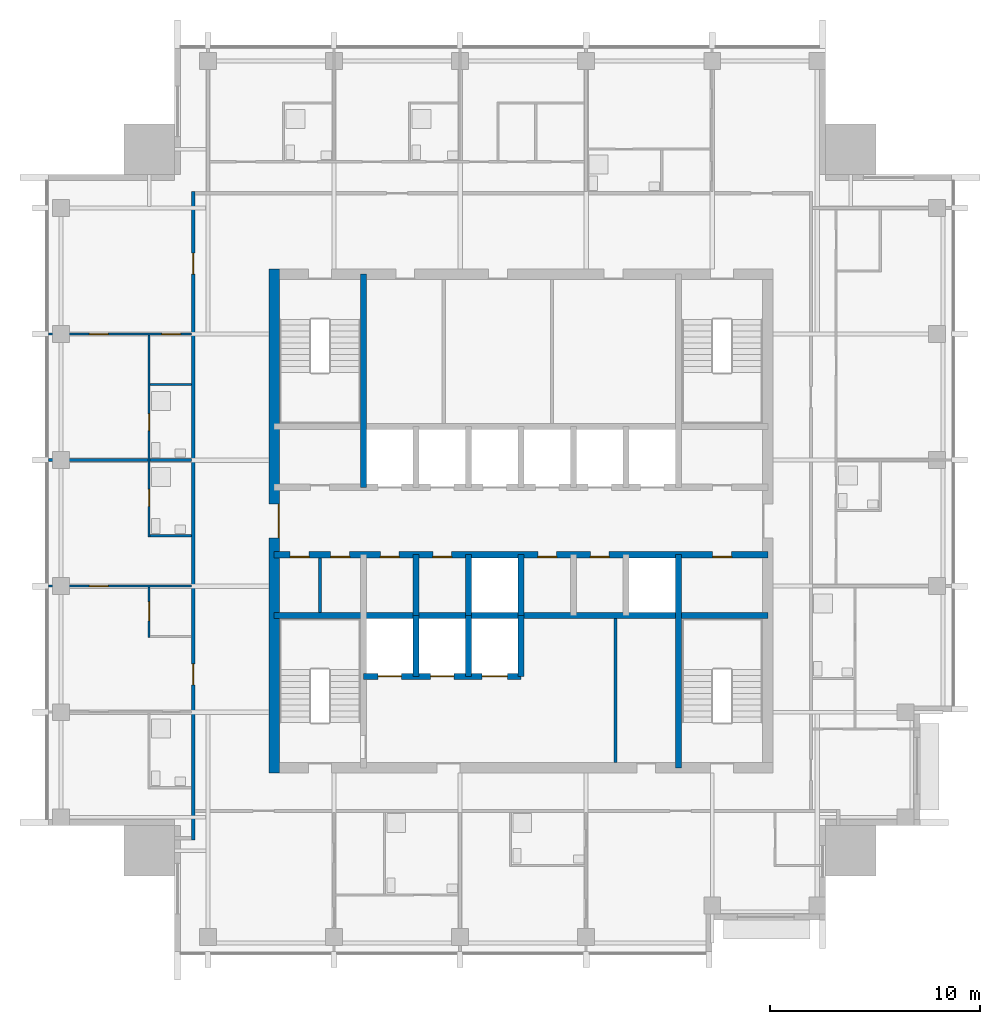
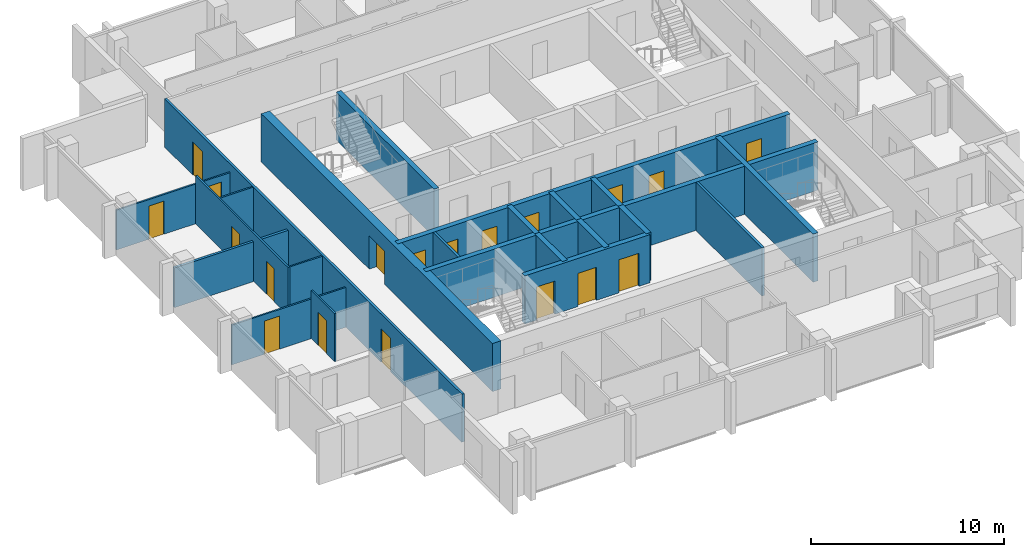
# One storey, part 4 of 9: 22 walls, 19 doors, 19 openings.
"""IFC4 building model written with IfcOpenShell, lengths in metres."""

import ifcopenshell
import ifcopenshell.guid

model = None  # the IFC model being written
_history = None  # IfcOwnerHistory: only IFC2X3 demands one
_inside = {}  # id of a spatial element -> (the spatial element, [elements in it])
_under = {}  # id of a project, library or spatial element -> (it, [spatial elements below it])
_declared = {}  # id of a project -> (the project, [libraries it declares])
_typed = {}  # id of a type object -> (the type object, [elements of that type])
_made_of = {}  # id of a material, layer set ... -> (it, [elements and type objects made of it])


def new_model(schema):
    """Start an empty IFC model of exactly this schema.

    Asked for "IFC4X3", IfcOpenShell would pick the latest addendum, in which some entities
    have other attributes; the version numbers below select the first issue.
    IFC2X3 requires an IfcOwnerHistory on every rooted entity: one is made here for all.
    """
    global model, _history
    if schema == "IFC4X3":
        model = ifcopenshell.file(schema_version=(4, 3, 0, 0))
    else:
        model = ifcopenshell.file(schema=schema)
    _inside.clear()
    _under.clear()
    _declared.clear()
    _typed.clear()
    _made_of.clear()
    _history = None
    if model.schema == "IFC2X3":
        org = make("IfcOrganization", Name="unknown")
        user = make(
            "IfcPersonAndOrganization",
            ThePerson=make("IfcPerson", FamilyName="unknown"),
            TheOrganization=org,
        )
        app = make(
            "IfcApplication",
            ApplicationDeveloper=org,
            Version="unknown",
            ApplicationFullName="unknown",
            ApplicationIdentifier="unknown",
        )
        _history = make(
            "IfcOwnerHistory",
            OwningUser=user,
            OwningApplication=app,
            ChangeAction="ADDED",
            CreationDate=0,
        )
    return model


def make(cls, **values):
    """One entity of the class cls with the attributes given. An attribute that is None is left unset."""
    return model.create_entity(
        cls, **{name: value for name, value in values.items() if value is not None}
    )


def rooted(cls, **values):
    """An entity with a GlobalId (a new one), such as an element, a storey or a relation."""
    return make(cls, GlobalId=ifcopenshell.guid.new(), OwnerHistory=_history, **values)


def si_unit(unit_type, name, prefix=None):
    """IfcSIUnit, for example si_unit("LENGTHUNIT", "METRE", prefix="MILLI")."""
    return make("IfcSIUnit", UnitType=unit_type, Prefix=prefix, Name=name)


def assignment(units):
    """IfcUnitAssignment: the units of a project."""
    return None if units is None else make("IfcUnitAssignment", Units=units)


def point(xyz):
    """IfcCartesianPoint."""
    return None if xyz is None else make("IfcCartesianPoint", Coordinates=xyz)


def direction(xyz):
    """IfcDirection."""
    return None if xyz is None else make("IfcDirection", DirectionRatios=xyz)


def frame(location, z_axis=None, x_axis=None):
    """IfcAxis2Placement3D, a coordinate frame: its origin and axes. An axis left out is left unset."""
    return make(
        "IfcAxis2Placement3D",
        Location=point(location),
        Axis=direction(z_axis),
        RefDirection=direction(x_axis),
    )


def frame_2d(location, x_axis=None):
    """IfcAxis2Placement2D, a coordinate frame in the plane: its origin and x axis."""
    return make(
        "IfcAxis2Placement2D", Location=point(location), RefDirection=direction(x_axis)
    )


def origin():
    """The frame at (0, 0, 0) with its axes left unset."""
    return frame((0.0, 0.0, 0.0))


def place(relative_to, where):
    """IfcLocalPlacement: puts the frame where relative to a parent placement (None: the world)."""
    return make(
        "IfcLocalPlacement", PlacementRelTo=relative_to, RelativePlacement=where
    )


def context(
    kind, dimensions, precision=None, world=None, true_north=None, identifier=None
):
    """IfcGeometricRepresentationContext, for example the 3D "Model" context."""
    return make(
        "IfcGeometricRepresentationContext",
        ContextIdentifier=identifier,
        ContextType=kind,
        CoordinateSpaceDimension=dimensions,
        Precision=precision,
        WorldCoordinateSystem=world,
        TrueNorth=true_north,
    )


def subcontext(parent, identifier, kind, view, scale=None):
    """IfcGeometricRepresentationSubContext, for example "Body" below "Model"."""
    return make(
        "IfcGeometricRepresentationSubContext",
        ContextIdentifier=identifier,
        ContextType=kind,
        ParentContext=parent,
        TargetScale=scale,
        TargetView=view,
    )


def project(units=None, contexts=None):
    """IfcProject with its units and contexts."""
    return rooted(
        "IfcProject",
        Name="project",
        RepresentationContexts=contexts,
        UnitsInContext=assignment(units),
    )


def spatial(cls, under=None, at=None, **own):
    """A site, building, storey or space (cls), placed at a placement, below another one or the project."""
    s = rooted(cls, ObjectPlacement=at, **own)
    if under is not None:
        _under.setdefault(under.id(), (under, []))[1].append(s)
    return s


def profile(cls, at=None, kind="AREA", **sizes):
    """A parametric profile (cls). Its sizes go by their IFC names, for example OverallWidth=200.0."""
    return make(cls, ProfileType=kind, Position=at, **sizes)


def rectangle(**sizes):
    """IfcRectangleProfileDef."""
    return profile("IfcRectangleProfileDef", **sizes)


def extrude(swept, where, along, depth):
    """IfcExtrudedAreaSolid: the profile swept, set in the frame where, extruded along a direction by depth."""
    return make(
        "IfcExtrudedAreaSolid",
        SweptArea=swept,
        Position=where,
        ExtrudedDirection=direction(along),
        Depth=depth,
    )


def shape(context_of_items, identifier, shape_type, items):
    """IfcShapeRepresentation: the items that make up one representation, for example the "Body"."""
    return make(
        "IfcShapeRepresentation",
        ContextOfItems=context_of_items,
        RepresentationIdentifier=identifier,
        RepresentationType=shape_type,
        Items=items,
    )


def material(Name=None, Category=None):
    """IfcMaterial."""
    return make("IfcMaterial", Name=Name, Category=Category)


def layer(
    of_material, thickness, ventilated=None, Name=None, Category=None, Priority=None
):
    """IfcMaterialLayer: one layer of a wall or slab, of a material (None: an air gap)."""
    return make(
        "IfcMaterialLayer",
        Material=of_material,
        LayerThickness=thickness,
        IsVentilated=ventilated,
        Name=Name,
        Category=Category,
        Priority=Priority,
    )


def layer_set(layers, Name=None):
    """IfcMaterialLayerSet."""
    return make("IfcMaterialLayerSet", MaterialLayers=layers, LayerSetName=Name)


def made_of(thing, what):
    """Note that an element or type object is made of a material, layer set ...; save() writes the relation."""
    if what is not None:
        _made_of.setdefault(what.id(), (what, []))[1].append(thing)
    return thing


def type_object(cls, material=None, **own):
    """A type object (cls), such as IfcWallType, which elements share."""
    return made_of(rooted(cls, **own), material)


def element(
    cls,
    number,
    at=None,
    inside=None,
    cuts=None,
    type_object=None,
    material=None,
    context=None,
    identifier="Body",
    shape_type=None,
    held_by="IfcProductDefinitionShape",
    body=None,
    shapes=None,
    **own,
):
    """One element of the class cls, such as IfcWall. Its Tag is "e" and its number.

    at: its placement. inside: the storey or other place that contains it. cuts: it is an
    opening in that element (IfcRelVoidsElement). A single representation is given by context,
    identifier, shape_type and body (its items); several are given by shapes. held_by: the class
    of the entity that holds the representations. save() writes the other relations.
    """
    e = rooted(cls, Tag="e%d" % number, ObjectPlacement=at, **own)
    if body is not None:
        shapes = [shape(context, identifier, shape_type, body)]
    if shapes is not None:
        e.Representation = make(held_by, Representations=shapes)
    if inside is not None:
        _inside.setdefault(inside.id(), (inside, []))[1].append(e)
    if cuts is not None:
        rooted(
            "IfcRelVoidsElement", RelatingBuildingElement=cuts, RelatedOpeningElement=e
        )
    if type_object is not None:
        _typed.setdefault(type_object.id(), (type_object, []))[1].append(e)
    return made_of(e, material)


def fill(opening, filler):
    """IfcRelFillsElement: the door or window that sits in an opening."""
    return rooted(
        "IfcRelFillsElement",
        RelatingOpeningElement=opening,
        RelatedBuildingElement=filler,
    )


def aggregate(whole, parts):
    """IfcRelAggregates: a whole, such as a stair, and the parts it consists of."""
    return rooted("IfcRelAggregates", RelatingObject=whole, RelatedObjects=parts)


def save(model, path):
    """Write the relations noted so far, then the file.

    IfcRelAggregates (storeys below a building ...), IfcRelContainedInSpatialStructure (elements
    in a storey), IfcRelDefinesByType, IfcRelAssociatesMaterial and IfcRelDeclares: one each for
    every whole, place, type object, material and project.
    """
    for whole, parts in _under.values():
        aggregate(whole, parts)
    for where, things in _inside.values():
        rooted(
            "IfcRelContainedInSpatialStructure",
            RelatedElements=things,
            RelatingStructure=where,
        )
    for kind, things in _typed.values():
        rooted("IfcRelDefinesByType", RelatedObjects=things, RelatingType=kind)
    for what, things in _made_of.values():
        rooted("IfcRelAssociatesMaterial", RelatedObjects=things, RelatingMaterial=what)
    for by, libraries in _declared.values():
        rooted("IfcRelDeclares", RelatingContext=by, RelatedDefinitions=libraries)
    model.write(path)


model = new_model("IFC4")

# Units and contexts
model_context = context("Model", 3, precision=1e-05, world=origin(), true_north=direction((0.0, 1.0)))
body_context = subcontext(model_context, "Body", "Model", "MODEL_VIEW")
ifc_project = project(units=[si_unit("LENGTHUNIT", "METRE"), si_unit("AREAUNIT", "SQUARE_METRE"), si_unit("VOLUMEUNIT", "CUBIC_METRE"), si_unit("PLANEANGLEUNIT", "RADIAN"), si_unit("MASSUNIT", "GRAM", prefix="KILO")], contexts=[model_context])

# Site, building, storey
site_placement = place(None, origin())
site = spatial("IfcSite", under=ifc_project, at=site_placement, CompositionType="ELEMENT")
building_placement = place(site_placement, origin())
building = spatial("IfcBuilding", under=site, at=building_placement, Name="Amberfall Residences", CompositionType="ELEMENT")
storey_placement = place(building_placement, frame((0.0, 0.0, 255.39990234375)))
storey = spatial("IfcBuildingStorey", under=building, at=storey_placement, Name="L68", CompositionType="ELEMENT", Elevation=255.39990234375)

# Wall
ifc_material_1 = material(Name="Concrete C50", Category="concrete")
ifc_layer_1 = layer(ifc_material_1, 0.300048828125)
ifc_layer_set_1 = layer_set([ifc_layer_1], Name="Core wall 300 C50")
wall_type_1 = type_object("IfcWallType", Name="Core wall 300 C50", PredefinedType="SHEAR", material=ifc_layer_set_1)
wall_1_placement = place(storey_placement, frame((62.75, 41.0, 0.0), z_axis=(0.0, 0.0, 1.0), x_axis=(1.0, 0.0, 0.0)))
element("IfcWall", 1, at=wall_1_placement, inside=storey, type_object=wall_type_1, Name="Core wall RW10 L68 H75", PredefinedType="SHEAR", context=body_context, shape_type="SweptSolid", body=[
    extrude(rectangle(XDim=23.5, YDim=0.300048828125, at=frame_2d((11.75, 0.0))), origin(), (0.0, 0.0, 1.0), 3.050048828125),
])

# Wall, openings, doors
wall_2_placement = place(storey_placement, frame((62.75, 43.89990234375, 0.0), z_axis=(0.0, 0.0, 1.0), x_axis=(1.0, 0.0, 0.0)))
wall_2 = element("IfcWall", 2, at=wall_2_placement, inside=storey, type_object=wall_type_1, Name="Core wall RW10 L68 H104", PredefinedType="SHEAR", context=body_context, shape_type="SweptSolid", body=[
    extrude(rectangle(XDim=23.5, YDim=0.300048828125, at=frame_2d((11.75, 0.0))), origin(), (0.0, 0.0, 1.0), 3.050048828125),
])
opening_1_placement = place(wall_2_placement, frame((0.762451171875, 0.0, 0.0)))
opening_1 = element("IfcOpeningElement", 3, at=opening_1_placement, cuts=wall_2, Name="Opening RD1", PredefinedType="OPENING", context=body_context, shape_type="SweptSolid", body=[
    extrude(rectangle(XDim=0.89990234375, YDim=2.10009765625, at=frame_2d((0.449951171875, 1.050048828125))), frame((0.0, 0.159912109375, 0.0), z_axis=(0.0, -1.0, 0.0), x_axis=(1.0, 0.0, 0.0)), (0.0, 0.0, 1.0), 0.320068359375),
])
opening_2_placement = place(wall_2_placement, frame((2.6875, 0.0, 0.0)))
opening_2 = element("IfcOpeningElement", 4, at=opening_2_placement, cuts=wall_2, Name="Opening RD1", PredefinedType="OPENING", context=body_context, shape_type="SweptSolid", body=[
    extrude(rectangle(XDim=0.89990234375, YDim=2.10009765625, at=frame_2d((0.449951171875, 1.050048828125))), frame((0.0, 0.159912109375, 0.0), z_axis=(0.0, -1.0, 0.0), x_axis=(1.0, 0.0, 0.0)), (0.0, 0.0, 1.0), 0.320068359375),
])
opening_3_placement = place(wall_2_placement, frame((20.875, 0.0, 0.0)))
opening_3 = element("IfcOpeningElement", 5, at=opening_3_placement, cuts=wall_2, Name="Opening RD1", PredefinedType="OPENING", context=body_context, shape_type="SweptSolid", body=[
    extrude(rectangle(XDim=0.89990234375, YDim=2.10009765625, at=frame_2d((0.449951171875, 1.050048828125))), frame((0.0, 0.159912109375, 0.0), z_axis=(0.0, -1.0, 0.0), x_axis=(1.0, 0.0, 0.0)), (0.0, 0.0, 1.0), 0.320068359375),
])
opening_4_placement = place(wall_2_placement, frame((5.050048828125, 0.0, 0.0)))
opening_4 = element("IfcOpeningElement", 6, at=opening_4_placement, cuts=wall_2, Name="Opening RD1", PredefinedType="OPENING", context=body_context, shape_type="SweptSolid", body=[
    extrude(rectangle(XDim=0.89990234375, YDim=2.10009765625, at=frame_2d((0.449951171875, 1.050048828125))), frame((0.0, 0.159912109375, 0.0), z_axis=(0.0, -1.0, 0.0), x_axis=(1.0, 0.0, 0.0)), (0.0, 0.0, 1.0), 0.320068359375),
])
opening_5_placement = place(wall_2_placement, frame((7.550048828125, 0.0, 0.0)))
opening_5 = element("IfcOpeningElement", 7, at=opening_5_placement, cuts=wall_2, Name="Opening RD1", PredefinedType="OPENING", context=body_context, shape_type="SweptSolid", body=[
    extrude(rectangle(XDim=0.89990234375, YDim=2.10009765625, at=frame_2d((0.449951171875, 1.050048828125))), frame((0.0, 0.159912109375, 0.0), z_axis=(0.0, -1.0, 0.0), x_axis=(1.0, 0.0, 0.0)), (0.0, 0.0, 1.0), 0.320068359375),
])
opening_6_placement = place(wall_2_placement, frame((12.550048828125, 0.0, 0.0)))
opening_6 = element("IfcOpeningElement", 8, at=opening_6_placement, cuts=wall_2, Name="Opening RD1", PredefinedType="OPENING", context=body_context, shape_type="SweptSolid", body=[
    extrude(rectangle(XDim=0.89990234375, YDim=2.10009765625, at=frame_2d((0.449951171875, 1.050048828125))), frame((0.0, 0.159912109375, 0.0), z_axis=(0.0, -1.0, 0.0), x_axis=(1.0, 0.0, 0.0)), (0.0, 0.0, 1.0), 0.320068359375),
])
opening_7_placement = place(wall_2_placement, frame((15.050048828125, 0.0, 0.0)))
opening_7 = element("IfcOpeningElement", 9, at=opening_7_placement, cuts=wall_2, Name="Opening RD1", PredefinedType="OPENING", context=body_context, shape_type="SweptSolid", body=[
    extrude(rectangle(XDim=0.89990234375, YDim=2.10009765625, at=frame_2d((0.449951171875, 1.050048828125))), frame((0.0, 0.159912109375, 0.0), z_axis=(0.0, -1.0, 0.0), x_axis=(1.0, 0.0, 0.0)), (0.0, 0.0, 1.0), 0.320068359375),
])
ifc_material_2 = material(Name="Steel fire door set", Category="steel")
door_type_1 = type_object("IfcDoorType", Name="Service room door 900 x 2100", OperationType="SINGLE_SWING_LEFT", PredefinedType="DOOR", material=ifc_material_2)
door_1_placement = place(opening_1_placement, origin())
door_1 = element("IfcDoor", 10, at=door_1_placement, inside=storey, type_object=door_type_1, Name="RD1 L68", OperationType="SINGLE_SWING_LEFT", OverallHeight=2.10009765625, OverallWidth=0.89990234375, PredefinedType="DOOR", context=body_context, shape_type="SweptSolid", body=[
    extrude(rectangle(XDim=0.89990234375, YDim=2.10009765625, at=frame_2d((0.449951171875, 1.050048828125))), frame((0.0, -0.08740234375, 0.0), z_axis=(0.0, -1.0, 0.0), x_axis=(1.0, 0.0, 0.0)), (0.0, 0.0, 1.0), 0.050048828125),
])
fill(opening_1, door_1)
door_2_placement = place(opening_2_placement, origin())
door_2 = element("IfcDoor", 11, at=door_2_placement, inside=storey, type_object=door_type_1, Name="RD1 L68", OperationType="SINGLE_SWING_RIGHT", OverallHeight=2.10009765625, OverallWidth=0.89990234375, PredefinedType="DOOR", context=body_context, shape_type="SweptSolid", body=[
    extrude(rectangle(XDim=0.89990234375, YDim=2.10009765625, at=frame_2d((0.449951171875, 1.050048828125))), frame((0.0, -0.08740234375, 0.0), z_axis=(0.0, -1.0, 0.0), x_axis=(1.0, 0.0, 0.0)), (0.0, 0.0, 1.0), 0.050048828125),
])
fill(opening_2, door_2)
door_3_placement = place(opening_3_placement, origin())
door_3 = element("IfcDoor", 12, at=door_3_placement, inside=storey, type_object=door_type_1, Name="RD1 L68", OperationType="SINGLE_SWING_LEFT", OverallHeight=2.10009765625, OverallWidth=0.89990234375, PredefinedType="DOOR", context=body_context, shape_type="SweptSolid", body=[
    extrude(rectangle(XDim=0.89990234375, YDim=2.10009765625, at=frame_2d((0.449951171875, 1.050048828125))), frame((0.0, -0.08740234375, 0.0), z_axis=(0.0, -1.0, 0.0), x_axis=(1.0, 0.0, 0.0)), (0.0, 0.0, 1.0), 0.050048828125),
])
fill(opening_3, door_3)
door_4_placement = place(opening_4_placement, origin())
door_4 = element("IfcDoor", 13, at=door_4_placement, inside=storey, type_object=door_type_1, Name="RD1 L68", OperationType="SINGLE_SWING_RIGHT", OverallHeight=2.10009765625, OverallWidth=0.89990234375, PredefinedType="DOOR", context=body_context, shape_type="SweptSolid", body=[
    extrude(rectangle(XDim=0.89990234375, YDim=2.10009765625, at=frame_2d((0.449951171875, 1.050048828125))), frame((0.0, -0.08740234375, 0.0), z_axis=(0.0, -1.0, 0.0), x_axis=(1.0, 0.0, 0.0)), (0.0, 0.0, 1.0), 0.050048828125),
])
fill(opening_4, door_4)
door_5_placement = place(opening_5_placement, origin())
door_5 = element("IfcDoor", 14, at=door_5_placement, inside=storey, type_object=door_type_1, Name="RD1 L68", OperationType="SINGLE_SWING_LEFT", OverallHeight=2.10009765625, OverallWidth=0.89990234375, PredefinedType="DOOR", context=body_context, shape_type="SweptSolid", body=[
    extrude(rectangle(XDim=0.89990234375, YDim=2.10009765625, at=frame_2d((0.449951171875, 1.050048828125))), frame((0.0, -0.08740234375, 0.0), z_axis=(0.0, -1.0, 0.0), x_axis=(1.0, 0.0, 0.0)), (0.0, 0.0, 1.0), 0.050048828125),
])
fill(opening_5, door_5)
door_6_placement = place(opening_6_placement, origin())
door_6 = element("IfcDoor", 15, at=door_6_placement, inside=storey, type_object=door_type_1, Name="RD1 L68", OperationType="SINGLE_SWING_LEFT", OverallHeight=2.10009765625, OverallWidth=0.89990234375, PredefinedType="DOOR", context=body_context, shape_type="SweptSolid", body=[
    extrude(rectangle(XDim=0.89990234375, YDim=2.10009765625, at=frame_2d((0.449951171875, 1.050048828125))), frame((0.0, -0.08740234375, 0.0), z_axis=(0.0, -1.0, 0.0), x_axis=(1.0, 0.0, 0.0)), (0.0, 0.0, 1.0), 0.050048828125),
])
fill(opening_6, door_6)
door_7_placement = place(opening_7_placement, origin())
door_7 = element("IfcDoor", 16, at=door_7_placement, inside=storey, type_object=door_type_1, Name="RD1 L68", OperationType="SINGLE_SWING_RIGHT", OverallHeight=2.10009765625, OverallWidth=0.89990234375, PredefinedType="DOOR", context=body_context, shape_type="SweptSolid", body=[
    extrude(rectangle(XDim=0.89990234375, YDim=2.10009765625, at=frame_2d((0.449951171875, 1.050048828125))), frame((0.0, -0.08740234375, 0.0), z_axis=(0.0, -1.0, 0.0), x_axis=(1.0, 0.0, 0.0)), (0.0, 0.0, 1.0), 0.050048828125),
])
fill(opening_7, door_7)

# Walls
for number, where, z_axis, x_axis, name in (
    (17, (67.0, 47.10009765625, 0.0), (0.0, 0.0, 1.0), (0.0, 1.0, 0.0), "Core wall RW10 L68 V45N"),
    (18, (82.0, 33.75, 0.0), (0.0, 0.0, 1.0), (0.0, 1.0, 0.0), "Core wall RW10 L68 V195S"),
):
    element("IfcWall", number, at=place(storey_placement, frame(where, z_axis=z_axis, x_axis=x_axis)), inside=storey, type_object=wall_type_1, Name=name, PredefinedType="SHEAR", context=body_context, shape_type="SweptSolid", body=[
        extrude(rectangle(XDim=10.14990234375, YDim=0.300048828125, at=frame_2d((5.074951171875, 0.0))), origin(), (0.0, 0.0, 1.0), 3.050048828125),
    ])
for number, where, z_axis, x_axis, name in (
    (19, (69.5, 41.0, 0.0), (0.0, 0.0, 1.0), (0.0, 1.0, 0.0), "Core wall RW10 L68 LPD1"),
    (20, (72.0, 41.0, 0.0), (0.0, 0.0, 1.0), (0.0, 1.0, 0.0), "Core wall RW10 L68 LPD2"),
    (21, (74.5, 41.0, 0.0), (0.0, 0.0, 1.0), (0.0, 1.0, 0.0), "Core wall RW10 L68 LPD3"),
):
    element("IfcWall", number, at=place(storey_placement, frame(where, z_axis=z_axis, x_axis=x_axis)), inside=storey, type_object=wall_type_1, Name=name, PredefinedType="SHEAR", context=body_context, shape_type="SweptSolid", body=[
        extrude(rectangle(XDim=2.89990234375, YDim=0.300048828125, at=frame_2d((1.449951171875, 0.0))), origin(), (0.0, 0.0, 1.0), 3.050048828125),
    ])

# Wall, openings, doors
wall_3_placement = place(storey_placement, frame((67.0, 38.10009765625, 0.0), z_axis=(0.0, 0.0, 1.0), x_axis=(1.0, 0.0, 0.0)))
wall_3 = element("IfcWall", 22, at=wall_3_placement, inside=storey, type_object=wall_type_1, Name="Core wall RW10 L68 FFF", PredefinedType="SHEAR", context=body_context, shape_type="SweptSolid", body=[
    extrude(rectangle(XDim=7.5, YDim=0.300048828125, at=frame_2d((3.75, 0.0))), origin(), (0.0, 0.0, 1.0), 3.050048828125),
])
opening_8_placement = place(wall_3_placement, frame((0.699951171875, 0.0, 0.0)))
opening_8 = element("IfcOpeningElement", 23, at=opening_8_placement, cuts=wall_3, Name="Opening LD2", PredefinedType="OPENING", context=body_context, shape_type="SweptSolid", body=[
    extrude(rectangle(XDim=1.10009765625, YDim=2.10009765625, at=frame_2d((0.550048828125, 1.050048828125))), frame((0.0, 0.159912109375, 0.0), z_axis=(0.0, -1.0, 0.0), x_axis=(1.0, 0.0, 0.0)), (0.0, 0.0, 1.0), 0.320068359375),
])
opening_9_placement = place(wall_3_placement, frame((3.199951171875, 0.0, 0.0)))
opening_9 = element("IfcOpeningElement", 24, at=opening_9_placement, cuts=wall_3, Name="Opening LD2", PredefinedType="OPENING", context=body_context, shape_type="SweptSolid", body=[
    extrude(rectangle(XDim=1.10009765625, YDim=2.10009765625, at=frame_2d((0.550048828125, 1.050048828125))), frame((0.0, 0.159912109375, 0.0), z_axis=(0.0, -1.0, 0.0), x_axis=(1.0, 0.0, 0.0)), (0.0, 0.0, 1.0), 0.320068359375),
])
opening_10_placement = place(wall_3_placement, frame((5.64990234375, 0.0, 0.0)))
opening_10 = element("IfcOpeningElement", 25, at=opening_10_placement, cuts=wall_3, Name="Opening LD3", PredefinedType="OPENING", context=body_context, shape_type="SweptSolid", body=[
    extrude(rectangle(XDim=1.199951171875, YDim=2.10009765625, at=frame_2d((0.60009765625, 1.050048828125))), frame((0.0, 0.159912109375, 0.0), z_axis=(0.0, -1.0, 0.0), x_axis=(1.0, 0.0, 0.0)), (0.0, 0.0, 1.0), 0.320068359375),
])
door_type_2 = type_object("IfcDoorType", Name="Firefighting lift landing door 1100 x 2100", OperationType="DOUBLE_DOOR_SLIDING", PredefinedType="DOOR", material=ifc_material_2)
door_8_placement = place(opening_8_placement, origin())
door_8 = element("IfcDoor", 26, at=door_8_placement, inside=storey, type_object=door_type_2, Name="Landing door FF1 L68", OperationType="DOUBLE_DOOR_SLIDING", OverallHeight=2.10009765625, OverallWidth=1.10009765625, PredefinedType="DOOR", context=body_context, shape_type="SweptSolid", body=[
    extrude(rectangle(XDim=1.10009765625, YDim=2.10009765625, at=frame_2d((0.550048828125, 1.050048828125))), frame((0.0, 0.02490234375, 0.0), z_axis=(0.0, -1.0, 0.0), x_axis=(1.0, 0.0, 0.0)), (0.0, 0.0, 1.0), 0.050048828125),
])
fill(opening_8, door_8)
door_9_placement = place(opening_9_placement, origin())
door_9 = element("IfcDoor", 27, at=door_9_placement, inside=storey, type_object=door_type_2, Name="Landing door FF2 L68", OperationType="DOUBLE_DOOR_SLIDING", OverallHeight=2.10009765625, OverallWidth=1.10009765625, PredefinedType="DOOR", context=body_context, shape_type="SweptSolid", body=[
    extrude(rectangle(XDim=1.10009765625, YDim=2.10009765625, at=frame_2d((0.550048828125, 1.050048828125))), frame((0.0, 0.02490234375, 0.0), z_axis=(0.0, -1.0, 0.0), x_axis=(1.0, 0.0, 0.0)), (0.0, 0.0, 1.0), 0.050048828125),
])
fill(opening_9, door_9)
door_type_3 = type_object("IfcDoorType", Name="Service lift landing door 1200 x 2100", OperationType="DOUBLE_DOOR_SLIDING", PredefinedType="DOOR", material=ifc_material_2)
door_10_placement = place(opening_10_placement, origin())
door_10 = element("IfcDoor", 28, at=door_10_placement, inside=storey, type_object=door_type_3, Name="Landing door SL1 L68", OperationType="DOUBLE_DOOR_SLIDING", OverallHeight=2.10009765625, OverallWidth=1.199951171875, PredefinedType="DOOR", context=body_context, shape_type="SweptSolid", body=[
    extrude(rectangle(XDim=1.199951171875, YDim=2.10009765625, at=frame_2d((0.60009765625, 1.050048828125))), frame((0.0, 0.02490234375, 0.0), z_axis=(0.0, -1.0, 0.0), x_axis=(1.0, 0.0, 0.0)), (0.0, 0.0, 1.0), 0.050048828125),
])
fill(opening_10, door_10)

# Walls
for number, where, z_axis, x_axis, name in (
    (29, (69.5, 38.10009765625, 0.0), (0.0, 0.0, 1.0), (0.0, 1.0, 0.0), "Core wall RW10 L68 FFD1"),
    (30, (72.0, 38.10009765625, 0.0), (0.0, 0.0, 1.0), (0.0, 1.0, 0.0), "Core wall RW10 L68 FFD2"),
    (31, (74.5, 38.10009765625, 0.0), (0.0, 0.0, 1.0), (0.0, 1.0, 0.0), "Core wall RW10 L68 FFD3"),
):
    element("IfcWall", number, at=place(storey_placement, frame(where, z_axis=z_axis, x_axis=x_axis)), inside=storey, type_object=wall_type_1, Name=name, PredefinedType="SHEAR", context=body_context, shape_type="SweptSolid", body=[
        extrude(rectangle(XDim=2.89990234375, YDim=0.300048828125, at=frame_2d((1.449951171875, 0.0))), origin(), (0.0, 0.0, 1.0), 3.050048828125),
    ])

# Wall, opening, door
ifc_layer_2 = layer(ifc_material_1, 0.5)
ifc_layer_set_2 = layer_set([ifc_layer_2], Name="Core wall 500 C50")
wall_type_2 = type_object("IfcWallType", Name="Core wall 500 C50", PredefinedType="SHEAR", material=ifc_layer_set_2)
wall_4_placement = place(storey_placement, frame((62.75, 33.5, 0.0), z_axis=(0.0, 0.0, 1.0), x_axis=(0.0, 1.0, 0.0)))
wall_4 = element("IfcWall", 32, at=wall_4_placement, inside=storey, type_object=wall_type_2, Name="Core wall RW9 L68 OW", PredefinedType="SHEAR", context=body_context, shape_type="SweptSolid", body=[
    extrude(rectangle(XDim=24.0, YDim=0.5, at=frame_2d((12.0, 0.0))), origin(), (0.0, 0.0, 1.0), 3.050048828125),
])
opening_11_placement = place(wall_4_placement, frame((11.199951171875, 0.0, 0.0)))
opening_11 = element("IfcOpeningElement", 33, at=opening_11_placement, cuts=wall_4, Name="Opening LB1", PredefinedType="OPENING", context=body_context, shape_type="SweptSolid", body=[
    extrude(rectangle(XDim=1.60009765625, YDim=2.10009765625, at=frame_2d((0.800048828125, 1.050048828125))), frame((0.0, 0.260009765625, 0.0), z_axis=(0.0, -1.0, 0.0), x_axis=(1.0, 0.0, 0.0)), (0.0, 0.0, 1.0), 0.52001953125),
])
door_type_4 = type_object("IfcDoorType", Name="Lift lobby double door 1600 x 2100", OperationType="DOUBLE_DOOR_SINGLE_SWING", PredefinedType="DOOR", material=ifc_material_2)
door_11_placement = place(opening_11_placement, origin())
door_11 = element("IfcDoor", 34, at=door_11_placement, inside=storey, type_object=door_type_4, Name="LB1 L68", OperationType="DOUBLE_DOOR_SINGLE_SWING", OverallHeight=2.10009765625, OverallWidth=1.60009765625, PredefinedType="DOOR", context=body_context, shape_type="SweptSolid", body=[
    extrude(rectangle(XDim=1.60009765625, YDim=2.10009765625, at=frame_2d((0.800048828125, 1.050048828125))), frame((0.0, -0.1875, 0.0), z_axis=(0.0, -1.0, 0.0), x_axis=(1.0, 0.0, 0.0)), (0.0, 0.0, 1.0), 0.050048828125),
])
fill(opening_11, door_11)

ifc_material_3 = material(Name="Gypsum board on metal stud")
ifc_layer_3 = layer(ifc_material_3, 0.10009765625)
ifc_layer_set_3 = layer_set([ifc_layer_3], Name="Flat partition 100")
wall_type_3 = type_object("IfcWallType", Name="Flat partition 100", PredefinedType="PARTITIONING", material=ifc_layer_set_3)
wall_5_placement = place(storey_placement, frame((56.800048828125, 42.35009765625, 0.0), z_axis=(0.0, 0.0, 1.0), x_axis=(0.0, -1.0, 0.0)))
wall_5 = element("IfcWall", 35, at=wall_5_placement, inside=storey, type_object=wall_type_3, Name="Partition 002", PredefinedType="PARTITIONING", context=body_context, shape_type="SweptSolid", body=[
    extrude(rectangle(XDim=2.400146484375, YDim=0.10009765625, at=frame_2d((1.2001953125, 0.0))), origin(), (0.0, 0.0, 1.0), 3.050048828125),
])
opening_12_placement = place(wall_5_placement, frame((0.699951171875, 0.0, 0.0)))
opening_12 = element("IfcOpeningElement", 36, at=opening_12_placement, cuts=wall_5, Name="Opening D41", PredefinedType="OPENING", context=body_context, shape_type="SweptSolid", body=[
    extrude(rectangle(XDim=0.89990234375, YDim=2.10009765625, at=frame_2d((0.449951171875, 1.050048828125))), frame((0.0, 0.06005859375, 0.0), z_axis=(0.0, -1.0, 0.0), x_axis=(1.0, 0.0, 0.0)), (0.0, 0.0, 1.0), 0.1201171875),
])
ifc_material_4 = material(Name="Timber", Category="wood")
door_type_5 = type_object("IfcDoorType", Name="Internal door 900 x 2100", OperationType="SINGLE_SWING_LEFT", PredefinedType="DOOR", material=ifc_material_4)
door_12_placement = place(opening_12_placement, origin())
door_12 = element("IfcDoor", 37, at=door_12_placement, inside=storey, type_object=door_type_5, Name="Door 6807 kitchen", OperationType="SINGLE_SWING_LEFT", OverallHeight=2.10009765625, OverallWidth=0.89990234375, PredefinedType="DOOR", context=body_context, shape_type="SweptSolid", body=[
    extrude(rectangle(XDim=0.89990234375, YDim=2.10009765625, at=frame_2d((0.449951171875, 1.050048828125))), frame((0.0, 0.02490234375, 0.0), z_axis=(0.0, -1.0, 0.0), x_axis=(1.0, 0.0, 0.0)), (0.0, 0.0, 1.0), 0.050048828125),
])
fill(opening_12, door_12)

# Wall, openings, doors
wall_6_placement = place(storey_placement, frame((56.800048828125, 54.35009765625, 0.0), z_axis=(0.0, 0.0, 1.0), x_axis=(0.0, -1.0, 0.0)))
wall_6 = element("IfcWall", 38, at=wall_6_placement, inside=storey, type_object=wall_type_3, Name="Partition 003", PredefinedType="PARTITIONING", context=body_context, shape_type="SweptSolid", body=[
    extrude(rectangle(XDim=9.60009765625, YDim=0.10009765625, at=frame_2d((4.800048828125, 0.0))), origin(), (0.0, 0.0, 1.0), 3.050048828125),
])
opening_13_placement = place(wall_6_placement, frame((7.35009765625, 0.0, 0.0)))
opening_13 = element("IfcOpeningElement", 39, at=opening_13_placement, cuts=wall_6, Name="Opening D42", PredefinedType="OPENING", context=body_context, shape_type="SweptSolid", body=[
    extrude(rectangle(XDim=0.800048828125, YDim=2.10009765625, at=frame_2d((0.39990234375, 1.050048828125))), frame((0.0, 0.06005859375, 0.0), z_axis=(0.0, -1.0, 0.0), x_axis=(1.0, 0.0, 0.0)), (0.0, 0.0, 1.0), 0.1201171875),
])
opening_14_placement = place(wall_6_placement, frame((3.75, 0.0, 0.0)))
opening_14 = element("IfcOpeningElement", 40, at=opening_14_placement, cuts=wall_6, Name="Opening D42", PredefinedType="OPENING", context=body_context, shape_type="SweptSolid", body=[
    extrude(rectangle(XDim=0.800048828125, YDim=2.10009765625, at=frame_2d((0.39990234375, 1.050048828125))), frame((0.0, 0.06005859375, 0.0), z_axis=(0.0, -1.0, 0.0), x_axis=(1.0, 0.0, 0.0)), (0.0, 0.0, 1.0), 0.1201171875),
])
door_type_6 = type_object("IfcDoorType", Name="Bathroom door 800 x 2100", OperationType="SINGLE_SWING_LEFT", PredefinedType="DOOR", material=ifc_material_4)
door_13_placement = place(opening_13_placement, origin())
door_13 = element("IfcDoor", 41, at=door_13_placement, inside=storey, type_object=door_type_6, Name="Door 6807 bath2", OperationType="SINGLE_SWING_LEFT", OverallHeight=2.10009765625, OverallWidth=0.800048828125, PredefinedType="DOOR", context=body_context, shape_type="SweptSolid", body=[
    extrude(rectangle(XDim=0.800048828125, YDim=2.10009765625, at=frame_2d((0.39990234375, 1.050048828125))), frame((0.0, 0.02490234375, 0.0), z_axis=(0.0, -1.0, 0.0), x_axis=(1.0, 0.0, 0.0)), (0.0, 0.0, 1.0), 0.050048828125),
])
fill(opening_13, door_13)
door_14_placement = place(opening_14_placement, origin())
door_14 = element("IfcDoor", 42, at=door_14_placement, inside=storey, type_object=door_type_6, Name="Door 6808 bath1", OperationType="SINGLE_SWING_LEFT", OverallHeight=2.10009765625, OverallWidth=0.800048828125, PredefinedType="DOOR", context=body_context, shape_type="SweptSolid", body=[
    extrude(rectangle(XDim=0.800048828125, YDim=2.10009765625, at=frame_2d((0.39990234375, 1.050048828125))), frame((0.0, 0.02490234375, 0.0), z_axis=(0.0, -1.0, 0.0), x_axis=(1.0, 0.0, 0.0)), (0.0, 0.0, 1.0), 0.050048828125),
])
fill(opening_14, door_14)

wall_7_placement = place(storey_placement, frame((58.824951171875, 54.39990234375, 0.0), z_axis=(0.0, 0.0, 1.0), x_axis=(-1.0, 0.0, 0.0)))
wall_7 = element("IfcWall", 43, at=wall_7_placement, inside=storey, type_object=wall_type_3, Name="Partition 027", PredefinedType="PARTITIONING", context=body_context, shape_type="SweptSolid", body=[
    extrude(rectangle(XDim=6.824951171875, YDim=0.10009765625, at=frame_2d((3.41259765625, 0.0))), origin(), (0.0, 0.0, 1.0), 2.51611328125),
])
opening_15_placement = place(wall_7_placement, frame((0.52490234375, 0.0, 0.0)))
opening_15 = element("IfcOpeningElement", 44, at=opening_15_placement, cuts=wall_7, Name="Opening D41", PredefinedType="OPENING", context=body_context, shape_type="SweptSolid", body=[
    extrude(rectangle(XDim=0.89990234375, YDim=2.10009765625, at=frame_2d((0.449951171875, 1.050048828125))), frame((0.0, 0.06005859375, 0.0), z_axis=(0.0, -1.0, 0.0), x_axis=(1.0, 0.0, 0.0)), (0.0, 0.0, 1.0), 0.1201171875),
])
opening_16_placement = place(wall_7_placement, frame((3.97509765625, 0.0, 0.0)))
opening_16 = element("IfcOpeningElement", 45, at=opening_16_placement, cuts=wall_7, Name="Opening D41", PredefinedType="OPENING", context=body_context, shape_type="SweptSolid", body=[
    extrude(rectangle(XDim=0.89990234375, YDim=2.10009765625, at=frame_2d((0.449951171875, 1.050048828125))), frame((0.0, 0.06005859375, 0.0), z_axis=(0.0, -1.0, 0.0), x_axis=(1.0, 0.0, 0.0)), (0.0, 0.0, 1.0), 0.1201171875),
])
door_15_placement = place(opening_15_placement, origin())
door_15 = element("IfcDoor", 46, at=door_15_placement, inside=storey, type_object=door_type_5, Name="Door 6808 kitchen", OperationType="SINGLE_SWING_LEFT", OverallHeight=2.10009765625, OverallWidth=0.89990234375, PredefinedType="DOOR", context=body_context, shape_type="SweptSolid", body=[
    extrude(rectangle(XDim=0.89990234375, YDim=2.10009765625, at=frame_2d((0.449951171875, 1.050048828125))), frame((0.0, 0.02490234375, 0.0), z_axis=(0.0, -1.0, 0.0), x_axis=(1.0, 0.0, 0.0)), (0.0, 0.0, 1.0), 0.050048828125),
])
fill(opening_15, door_15)
door_16_placement = place(opening_16_placement, origin())
door_16 = element("IfcDoor", 47, at=door_16_placement, inside=storey, type_object=door_type_5, Name="Door 6808 bedroom1", OperationType="SINGLE_SWING_LEFT", OverallHeight=2.10009765625, OverallWidth=0.89990234375, PredefinedType="DOOR", context=body_context, shape_type="SweptSolid", body=[
    extrude(rectangle(XDim=0.89990234375, YDim=2.10009765625, at=frame_2d((0.449951171875, 1.050048828125))), frame((0.0, 0.02490234375, 0.0), z_axis=(0.0, -1.0, 0.0), x_axis=(1.0, 0.0, 0.0)), (0.0, 0.0, 1.0), 0.050048828125),
])
fill(opening_16, door_16)

# Walls
for number, where, z_axis, x_axis, name in (
    (48, (56.85009765625, 52.0, 0.0), (0.0, 0.0, 1.0), (1.0, 0.0, 0.0), "Partition 028"),
    (49, (56.85009765625, 44.800048828125, 0.0), (0.0, 0.0, 1.0), (1.0, 0.0, 0.0), "Partition 031"),
):
    element("IfcWall", number, at=place(storey_placement, frame(where, z_axis=z_axis, x_axis=x_axis)), inside=storey, type_object=wall_type_3, Name=name, PredefinedType="PARTITIONING", context=body_context, shape_type="SweptSolid", body=[
        extrude(rectangle(XDim=1.974853515625, YDim=0.10009765625, at=frame_2d((0.9873046875, 0.0))), origin(), (0.0, 0.0, 1.0), 3.050048828125),
    ])

# Wall, opening, door
wall_8_placement = place(storey_placement, frame((52.0, 42.39990234375, 0.0), z_axis=(0.0, 0.0, 1.0), x_axis=(1.0, 0.0, 0.0)))
wall_8 = element("IfcWall", 50, at=wall_8_placement, inside=storey, type_object=wall_type_3, Name="Partition 032", PredefinedType="PARTITIONING", context=body_context, shape_type="SweptSolid", body=[
    extrude(rectangle(XDim=6.824951171875, YDim=0.10009765625, at=frame_2d((3.41259765625, 0.0))), origin(), (0.0, 0.0, 1.0), 2.51611328125),
])
opening_17_placement = place(wall_8_placement, frame((1.949951171875, 0.0, 0.0)))
opening_17 = element("IfcOpeningElement", 51, at=opening_17_placement, cuts=wall_8, Name="Opening D41", PredefinedType="OPENING", context=body_context, shape_type="SweptSolid", body=[
    extrude(rectangle(XDim=0.89990234375, YDim=2.10009765625, at=frame_2d((0.449951171875, 1.050048828125))), frame((0.0, 0.06005859375, 0.0), z_axis=(0.0, -1.0, 0.0), x_axis=(1.0, 0.0, 0.0)), (0.0, 0.0, 1.0), 0.1201171875),
])
door_17_placement = place(opening_17_placement, origin())
door_17 = element("IfcDoor", 52, at=door_17_placement, inside=storey, type_object=door_type_5, Name="Door 6807 bedroom2", OperationType="SINGLE_SWING_LEFT", OverallHeight=2.10009765625, OverallWidth=0.89990234375, PredefinedType="DOOR", context=body_context, shape_type="SweptSolid", body=[
    extrude(rectangle(XDim=0.89990234375, YDim=2.10009765625, at=frame_2d((0.449951171875, 1.050048828125))), frame((0.0, 0.02490234375, 0.0), z_axis=(0.0, -1.0, 0.0), x_axis=(1.0, 0.0, 0.0)), (0.0, 0.0, 1.0), 0.050048828125),
])
fill(opening_17, door_17)

# Wall, openings, doors
ifc_material_5 = material(Name="Blockwork, plastered", Category="masonry")
ifc_layer_4 = layer(ifc_material_5, 0.14990234375)
ifc_layer_set_4 = layer_set([ifc_layer_4], Name="Flat separating wall 150")
wall_type_4 = type_object("IfcWallType", Name="Flat separating wall 150", PredefinedType="PARTITIONING", material=ifc_layer_set_4)
wall_9_placement = place(storey_placement, frame((58.89990234375, 30.324951171875, 0.0), z_axis=(0.0, 0.0, 1.0), x_axis=(0.0, 1.0, 0.0)))
wall_9 = element("IfcWall", 53, at=wall_9_placement, inside=storey, type_object=wall_type_4, Name="Separating wall 041", PredefinedType="PARTITIONING", context=body_context, shape_type="SweptSolid", body=[
    extrude(rectangle(XDim=30.85009765625, YDim=0.14990234375, at=frame_2d((15.425048828125, 0.0))), origin(), (0.0, 0.0, 1.0), 3.050048828125),
])
opening_18_placement = place(wall_9_placement, frame((7.375, 0.0, 0.0)))
opening_18 = element("IfcOpeningElement", 54, at=opening_18_placement, cuts=wall_9, Name="Opening D40", PredefinedType="OPENING", context=body_context, shape_type="SweptSolid", body=[
    extrude(rectangle(XDim=1.0, YDim=2.10009765625, at=frame_2d((0.5, 1.050048828125))), frame((0.0, 0.0849609375, 0.0), z_axis=(0.0, -1.0, 0.0), x_axis=(1.0, 0.0, 0.0)), (0.0, 0.0, 1.0), 0.169921875),
])
opening_19_placement = place(wall_9_placement, frame((26.925048828125, 0.0, 0.0)))
opening_19 = element("IfcOpeningElement", 55, at=opening_19_placement, cuts=wall_9, Name="Opening D40", PredefinedType="OPENING", context=body_context, shape_type="SweptSolid", body=[
    extrude(rectangle(XDim=1.0, YDim=2.10009765625, at=frame_2d((0.5, 1.050048828125))), frame((0.0, 0.0849609375, 0.0), z_axis=(0.0, -1.0, 0.0), x_axis=(1.0, 0.0, 0.0)), (0.0, 0.0, 1.0), 0.169921875),
])
ifc_material_6 = material(Name="Timber, fire-rated", Category="wood")
door_type_7 = type_object("IfcDoorType", Name="Flat entrance door FD60 1000 x 2100", OperationType="SINGLE_SWING_LEFT", PredefinedType="DOOR", material=ifc_material_6)
door_18_placement = place(opening_18_placement, origin())
door_18 = element("IfcDoor", 56, at=door_18_placement, inside=storey, type_object=door_type_7, Name="Door 6807 entrance", OperationType="SINGLE_SWING_LEFT", OverallHeight=2.10009765625, OverallWidth=1.0, PredefinedType="DOOR", context=body_context, shape_type="SweptSolid", body=[
    extrude(rectangle(XDim=1.0, YDim=2.10009765625, at=frame_2d((0.5, 1.050048828125))), frame((0.0, 0.02490234375, 0.0), z_axis=(0.0, -1.0, 0.0), x_axis=(1.0, 0.0, 0.0)), (0.0, 0.0, 1.0), 0.050048828125),
])
fill(opening_18, door_18)
door_19_placement = place(opening_19_placement, origin())
door_19 = element("IfcDoor", 57, at=door_19_placement, inside=storey, type_object=door_type_7, Name="Door 6808 entrance", OperationType="SINGLE_SWING_LEFT", OverallHeight=2.10009765625, OverallWidth=1.0, PredefinedType="DOOR", context=body_context, shape_type="SweptSolid", body=[
    extrude(rectangle(XDim=1.0, YDim=2.10009765625, at=frame_2d((0.5, 1.050048828125))), frame((0.0, 0.02490234375, 0.0), z_axis=(0.0, -1.0, 0.0), x_axis=(1.0, 0.0, 0.0)), (0.0, 0.0, 1.0), 0.050048828125),
])
fill(opening_19, door_19)

# Walls
wall_10_placement = place(storey_placement, frame((52.0, 48.39990234375, 0.0), z_axis=(0.0, 0.0, 1.0), x_axis=(1.0, 0.0, 0.0)))
element("IfcWall", 58, at=wall_10_placement, inside=storey, type_object=wall_type_4, Name="Separating wall 049", PredefinedType="PARTITIONING", context=body_context, shape_type="SweptSolid", body=[
    extrude(rectangle(XDim=6.824951171875, YDim=0.14990234375, at=frame_2d((3.41259765625, 0.0))), origin(), (0.0, 0.0, 1.0), 2.51611328125),
])
ifc_material_7 = material(Name="Concrete blockwork", Category="masonry")
ifc_layer_5 = layer(ifc_material_7, 0.14990234375)
ifc_layer_set_5 = layer_set([ifc_layer_5], Name="Riser wall 150")
wall_type_5 = type_object("IfcWallType", Name="Riser wall 150", PredefinedType="PLUMBINGWALL", material=ifc_layer_set_5)
wall_11_placement = place(storey_placement, frame((79.0, 34.0, 0.0), z_axis=(0.0, 0.0, 1.0), x_axis=(0.0, 1.0, 0.0)))
element("IfcWall", 59, at=wall_11_placement, inside=storey, type_object=wall_type_5, Name="L68 core wall PX", PredefinedType="PLUMBINGWALL", context=body_context, shape_type="SweptSolid", body=[
    extrude(rectangle(XDim=6.85009765625, YDim=0.14990234375, at=frame_2d((3.425048828125, 0.0))), origin(), (0.0, 0.0, 1.0), 3.050048828125),
])
wall_12_placement = place(storey_placement, frame((64.925048828125, 41.14990234375, 0.0), z_axis=(0.0, 0.0, 1.0), x_axis=(0.0, 1.0, 0.0)))
element("IfcWall", 60, at=wall_12_placement, inside=storey, type_object=wall_type_5, Name="L68 core wall ASW0", PredefinedType="PLUMBINGWALL", context=body_context, shape_type="SweptSolid", body=[
    extrude(rectangle(XDim=2.60009765625, YDim=0.14990234375, at=frame_2d((1.300048828125, 0.0))), origin(), (0.0, 0.0, 1.0), 3.050048828125),
])

save(model, "model.ifc")
